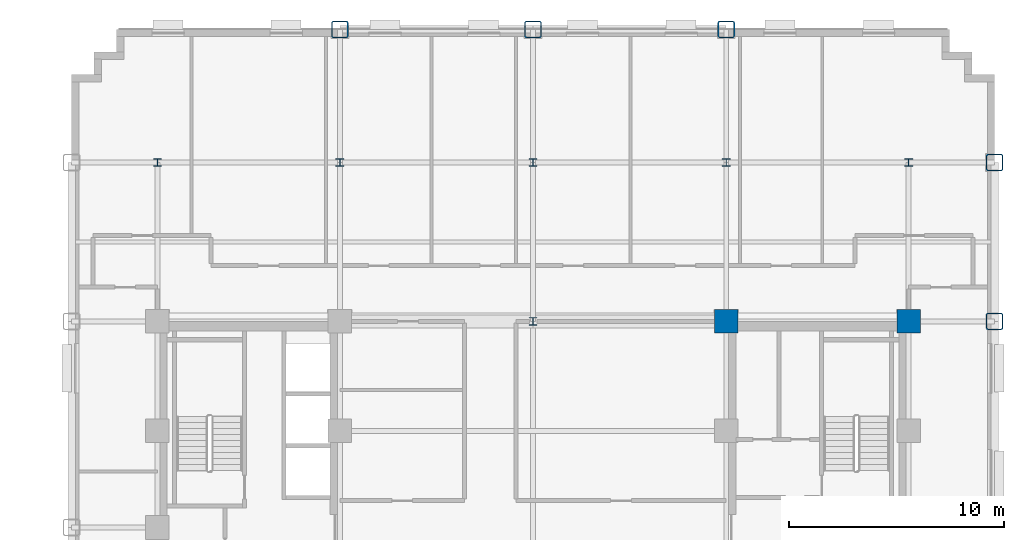
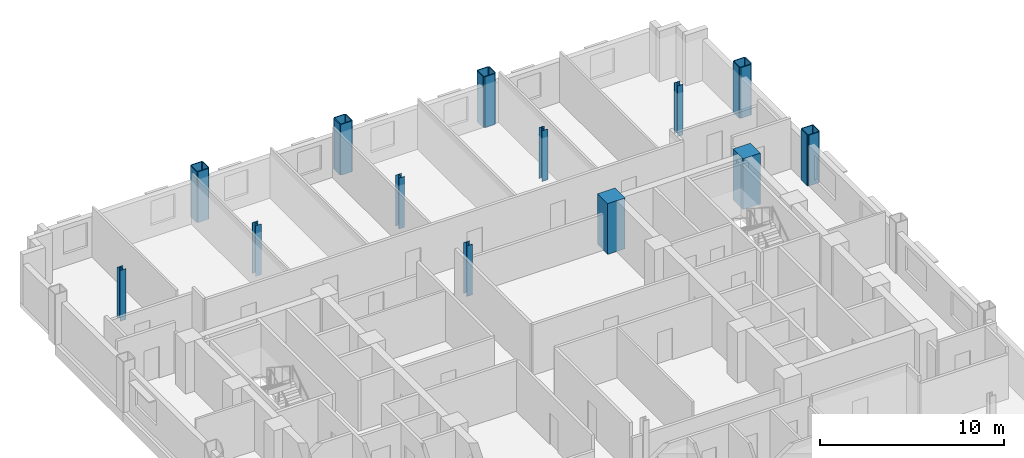
# One storey, part 3 of 14: 13 columns.
"""IFC4 building model written with IfcOpenShell, lengths in metres."""

import ifcopenshell
import ifcopenshell.guid

model = None  # the IFC model being written
_history = None  # IfcOwnerHistory: only IFC2X3 demands one
_inside = {}  # id of a spatial element -> (the spatial element, [elements in it])
_under = {}  # id of a project, library or spatial element -> (it, [spatial elements below it])
_declared = {}  # id of a project -> (the project, [libraries it declares])
_typed = {}  # id of a type object -> (the type object, [elements of that type])
_made_of = {}  # id of a material, layer set ... -> (it, [elements and type objects made of it])


def new_model(schema):
    """Start an empty IFC model of exactly this schema.

    Asked for "IFC4X3", IfcOpenShell would pick the latest addendum, in which some entities
    have other attributes; the version numbers below select the first issue.
    IFC2X3 requires an IfcOwnerHistory on every rooted entity: one is made here for all.
    """
    global model, _history
    if schema == "IFC4X3":
        model = ifcopenshell.file(schema_version=(4, 3, 0, 0))
    else:
        model = ifcopenshell.file(schema=schema)
    _inside.clear()
    _under.clear()
    _declared.clear()
    _typed.clear()
    _made_of.clear()
    _history = None
    if model.schema == "IFC2X3":
        org = make("IfcOrganization", Name="unknown")
        user = make(
            "IfcPersonAndOrganization",
            ThePerson=make("IfcPerson", FamilyName="unknown"),
            TheOrganization=org,
        )
        app = make(
            "IfcApplication",
            ApplicationDeveloper=org,
            Version="unknown",
            ApplicationFullName="unknown",
            ApplicationIdentifier="unknown",
        )
        _history = make(
            "IfcOwnerHistory",
            OwningUser=user,
            OwningApplication=app,
            ChangeAction="ADDED",
            CreationDate=0,
        )
    return model


def make(cls, **values):
    """One entity of the class cls with the attributes given. An attribute that is None is left unset."""
    return model.create_entity(
        cls, **{name: value for name, value in values.items() if value is not None}
    )


def rooted(cls, **values):
    """An entity with a GlobalId (a new one), such as an element, a storey or a relation."""
    return make(cls, GlobalId=ifcopenshell.guid.new(), OwnerHistory=_history, **values)


def si_unit(unit_type, name, prefix=None):
    """IfcSIUnit, for example si_unit("LENGTHUNIT", "METRE", prefix="MILLI")."""
    return make("IfcSIUnit", UnitType=unit_type, Prefix=prefix, Name=name)


def assignment(units):
    """IfcUnitAssignment: the units of a project."""
    return None if units is None else make("IfcUnitAssignment", Units=units)


def point(xyz):
    """IfcCartesianPoint."""
    return None if xyz is None else make("IfcCartesianPoint", Coordinates=xyz)


def direction(xyz):
    """IfcDirection."""
    return None if xyz is None else make("IfcDirection", DirectionRatios=xyz)


def frame(location, z_axis=None, x_axis=None):
    """IfcAxis2Placement3D, a coordinate frame: its origin and axes. An axis left out is left unset."""
    return make(
        "IfcAxis2Placement3D",
        Location=point(location),
        Axis=direction(z_axis),
        RefDirection=direction(x_axis),
    )


def frame_2d(location, x_axis=None):
    """IfcAxis2Placement2D, a coordinate frame in the plane: its origin and x axis."""
    return make(
        "IfcAxis2Placement2D", Location=point(location), RefDirection=direction(x_axis)
    )


def origin():
    """The frame at (0, 0, 0) with its axes left unset."""
    return frame((0.0, 0.0, 0.0))


def origin_2d():
    """The frame at (0, 0) in the plane with its x axis left unset."""
    return frame_2d((0.0, 0.0))


def place(relative_to, where):
    """IfcLocalPlacement: puts the frame where relative to a parent placement (None: the world)."""
    return make(
        "IfcLocalPlacement", PlacementRelTo=relative_to, RelativePlacement=where
    )


def context(
    kind, dimensions, precision=None, world=None, true_north=None, identifier=None
):
    """IfcGeometricRepresentationContext, for example the 3D "Model" context."""
    return make(
        "IfcGeometricRepresentationContext",
        ContextIdentifier=identifier,
        ContextType=kind,
        CoordinateSpaceDimension=dimensions,
        Precision=precision,
        WorldCoordinateSystem=world,
        TrueNorth=true_north,
    )


def subcontext(parent, identifier, kind, view, scale=None):
    """IfcGeometricRepresentationSubContext, for example "Body" below "Model"."""
    return make(
        "IfcGeometricRepresentationSubContext",
        ContextIdentifier=identifier,
        ContextType=kind,
        ParentContext=parent,
        TargetScale=scale,
        TargetView=view,
    )


def project(units=None, contexts=None):
    """IfcProject with its units and contexts."""
    return rooted(
        "IfcProject",
        Name="project",
        RepresentationContexts=contexts,
        UnitsInContext=assignment(units),
    )


def spatial(cls, under=None, at=None, **own):
    """A site, building, storey or space (cls), placed at a placement, below another one or the project."""
    s = rooted(cls, ObjectPlacement=at, **own)
    if under is not None:
        _under.setdefault(under.id(), (under, []))[1].append(s)
    return s


def profile(cls, at=None, kind="AREA", **sizes):
    """A parametric profile (cls). Its sizes go by their IFC names, for example OverallWidth=200.0."""
    return make(cls, ProfileType=kind, Position=at, **sizes)


def rectangle(**sizes):
    """IfcRectangleProfileDef."""
    return profile("IfcRectangleProfileDef", **sizes)


def hollow_rectangle(**sizes):
    """IfcRectangleHollowProfileDef."""
    return profile("IfcRectangleHollowProfileDef", **sizes)


def i_section(**sizes):
    """IfcIShapeProfileDef."""
    return profile("IfcIShapeProfileDef", **sizes)


def extrude(swept, where, along, depth):
    """IfcExtrudedAreaSolid: the profile swept, set in the frame where, extruded along a direction by depth."""
    return make(
        "IfcExtrudedAreaSolid",
        SweptArea=swept,
        Position=where,
        ExtrudedDirection=direction(along),
        Depth=depth,
    )


def shape(context_of_items, identifier, shape_type, items):
    """IfcShapeRepresentation: the items that make up one representation, for example the "Body"."""
    return make(
        "IfcShapeRepresentation",
        ContextOfItems=context_of_items,
        RepresentationIdentifier=identifier,
        RepresentationType=shape_type,
        Items=items,
    )


def material(Name=None, Category=None):
    """IfcMaterial."""
    return make("IfcMaterial", Name=Name, Category=Category)


def material_profile(
    of_material, cross_section, Name=None, Category=None, Priority=None
):
    """IfcMaterialProfile: a cross section and its material."""
    return make(
        "IfcMaterialProfile",
        Name=Name,
        Material=of_material,
        Profile=cross_section,
        Priority=Priority,
        Category=Category,
    )


def profile_set(profiles, Name=None, composite=None):
    """IfcMaterialProfileSet."""
    return make(
        "IfcMaterialProfileSet",
        Name=Name,
        MaterialProfiles=profiles,
        CompositeProfile=composite,
    )


def made_of(thing, what):
    """Note that an element or type object is made of a material, layer set ...; save() writes the relation."""
    if what is not None:
        _made_of.setdefault(what.id(), (what, []))[1].append(thing)
    return thing


def type_object(cls, material=None, **own):
    """A type object (cls), such as IfcWallType, which elements share."""
    return made_of(rooted(cls, **own), material)


def element(
    cls,
    number,
    at=None,
    inside=None,
    cuts=None,
    type_object=None,
    material=None,
    context=None,
    identifier="Body",
    shape_type=None,
    held_by="IfcProductDefinitionShape",
    body=None,
    shapes=None,
    **own,
):
    """One element of the class cls, such as IfcWall. Its Tag is "e" and its number.

    at: its placement. inside: the storey or other place that contains it. cuts: it is an
    opening in that element (IfcRelVoidsElement). A single representation is given by context,
    identifier, shape_type and body (its items); several are given by shapes. held_by: the class
    of the entity that holds the representations. save() writes the other relations.
    """
    e = rooted(cls, Tag="e%d" % number, ObjectPlacement=at, **own)
    if body is not None:
        shapes = [shape(context, identifier, shape_type, body)]
    if shapes is not None:
        e.Representation = make(held_by, Representations=shapes)
    if inside is not None:
        _inside.setdefault(inside.id(), (inside, []))[1].append(e)
    if cuts is not None:
        rooted(
            "IfcRelVoidsElement", RelatingBuildingElement=cuts, RelatedOpeningElement=e
        )
    if type_object is not None:
        _typed.setdefault(type_object.id(), (type_object, []))[1].append(e)
    return made_of(e, material)


def aggregate(whole, parts):
    """IfcRelAggregates: a whole, such as a stair, and the parts it consists of."""
    return rooted("IfcRelAggregates", RelatingObject=whole, RelatedObjects=parts)


def save(model, path):
    """Write the relations noted so far, then the file.

    IfcRelAggregates (storeys below a building ...), IfcRelContainedInSpatialStructure (elements
    in a storey), IfcRelDefinesByType, IfcRelAssociatesMaterial and IfcRelDeclares: one each for
    every whole, place, type object, material and project.
    """
    for whole, parts in _under.values():
        aggregate(whole, parts)
    for where, things in _inside.values():
        rooted(
            "IfcRelContainedInSpatialStructure",
            RelatedElements=things,
            RelatingStructure=where,
        )
    for kind, things in _typed.values():
        rooted("IfcRelDefinesByType", RelatedObjects=things, RelatingType=kind)
    for what, things in _made_of.values():
        rooted("IfcRelAssociatesMaterial", RelatedObjects=things, RelatingMaterial=what)
    for by, libraries in _declared.values():
        rooted("IfcRelDeclares", RelatingContext=by, RelatedDefinitions=libraries)
    model.write(path)


model = new_model("IFC4")

# Units and contexts
model_context = context("Model", 3, precision=1e-05, world=origin(), true_north=direction((0.0, 1.0)))
body_context = subcontext(model_context, "Body", "Model", "MODEL_VIEW")
ifc_project = project(units=[si_unit("LENGTHUNIT", "METRE"), si_unit("AREAUNIT", "SQUARE_METRE"), si_unit("VOLUMEUNIT", "CUBIC_METRE"), si_unit("PLANEANGLEUNIT", "RADIAN"), si_unit("MASSUNIT", "GRAM", prefix="KILO")], contexts=[model_context])

# Site, building, storey
site_placement = place(None, origin())
site = spatial("IfcSite", under=ifc_project, at=site_placement, CompositionType="ELEMENT")
building_placement = place(site_placement, origin())
building = spatial("IfcBuilding", under=site, at=building_placement, Name="Nuvemarco Arch Tower", CompositionType="ELEMENT")
storey_placement = place(building_placement, frame((0.0, 0.0, 67.75)))
storey = spatial("IfcBuildingStorey", under=building, at=storey_placement, Name="L17", CompositionType="ELEMENT", Elevation=67.75)

# Columns
ifc_material_1 = material(Name="Concrete C60/75", Category="concrete")
ifc_material_profile_1 = material_profile(ifc_material_1, rectangle(XDim=1.10009765625, YDim=1.10009765625, at=origin_2d()), Name="RC-COL-1100x1100")
ifc_profile_set_1 = profile_set([ifc_material_profile_1], Name="Concrete C60/75")
column_type_1 = type_object("IfcColumnType", Name="COL-CORE-1100", PredefinedType="COLUMN", material=ifc_profile_set_1)
for number, where, z_axis, x_axis, name in (
    (1, (9.0, 9.60009765625, 0.0), (0.0, 0.0, 1.0), (1.0, 0.0, 0.0), "L17 column CC_+9.0_+9.6"),
    (2, (17.5, 9.60009765625, 0.0), (0.0, 0.0, 1.0), (1.0, 0.0, 0.0), "L17 column CC_+17.5_+9.6"),
):
    element("IfcColumn", number, at=place(storey_placement, frame(where, z_axis=z_axis, x_axis=x_axis)), inside=storey, type_object=column_type_1, Name=name, PredefinedType="COLUMN", context=body_context, shape_type="SweptSolid", body=[
        extrude(rectangle(XDim=1.10009765625, YDim=1.10009765625, at=origin_2d()), origin(), (0.0, 0.0, 1.0), 3.3701171875),
    ])
ifc_material_2 = material(Name="Steel S460", Category="steel")
ifc_material_profile_2 = material_profile(ifc_material_2, hollow_rectangle(XDim=0.800048828125, YDim=0.800048828125, WallThickness=0.054931640625, InnerFilletRadius=0.054931640625, OuterFilletRadius=0.110107421875, at=origin_2d()), Name="SHS800x800x55")
ifc_profile_set_2 = profile_set([ifc_material_profile_2], Name="Steel S460")
column_type_2 = type_object("IfcColumnType", Name="COL-EXO-800", PredefinedType="COLUMN", material=ifc_profile_set_2)
for number, where, z_axis, x_axis, name in (
    (3, (21.5, 9.60009765625, 0.0), (0.0, 0.0, 1.0), (1.0, 0.0, 0.0), "L17 column CX_+21.5_+9.6"),
    (4, (21.5, 17.0, 0.0), (0.0, 0.0, 1.0), (1.0, 0.0, 0.0), "L17 column CX_+21.5_+17.0"),
    (5, (-9.0, 23.199951171875, 0.0), (0.0, 0.0, 1.0), (1.0, 0.0, 0.0), "L17 column CY_-9.0_+23.2"),
    (6, (0.0, 23.199951171875, 0.0), (0.0, 0.0, 1.0), (1.0, 0.0, 0.0), "L17 column CY_+0.0_+23.2"),
    (7, (9.0, 23.199951171875, 0.0), (0.0, 0.0, 1.0), (1.0, 0.0, 0.0), "L17 column CY_+9.0_+23.2"),
):
    element("IfcColumn", number, at=place(storey_placement, frame(where, z_axis=z_axis, x_axis=x_axis)), inside=storey, type_object=column_type_2, Name=name, PredefinedType="COLUMN", context=body_context, shape_type="SweptSolid", body=[
        extrude(hollow_rectangle(XDim=0.800048828125, YDim=0.800048828125, WallThickness=0.054931640625, InnerFilletRadius=0.054931640625, OuterFilletRadius=0.110107421875, at=origin_2d()), origin(), (0.0, 0.0, 1.0), 3.3701171875),
    ])
ifc_material_3 = material(Name="Steel S355", Category="steel")
ifc_material_profile_3 = material_profile(ifc_material_3, i_section(OverallWidth=0.360107421875, OverallDepth=0.360107421875, WebThickness=0.0205078125, FlangeThickness=0.0205078125, FilletRadius=0.01806640625, at=origin_2d()), Name="HP360x174")
ifc_profile_set_3 = profile_set([ifc_material_profile_3], Name="Steel S355")
column_type_3 = type_object("IfcColumnType", Name="COL-STL-HP360", PredefinedType="COLUMN", material=ifc_profile_set_3)
for number, where, z_axis, x_axis, name in (
    (8, (0.0, 9.60009765625, 0.0), (0.0, 0.0, 1.0), (1.0, 0.0, 0.0), "L17 column CI_+0.0_+9.6"),
    (9, (0.0, 17.0, 0.0), (0.0, 0.0, 1.0), (1.0, 0.0, 0.0), "L17 column CI_+0.0_+17.0"),
    (10, (-17.5, 17.0, 0.0), (0.0, 0.0, 1.0), (1.0, 0.0, 0.0), "L17 column CI_-17.5_+17.0"),
    (11, (-9.0, 17.0, 0.0), (0.0, 0.0, 1.0), (1.0, 0.0, 0.0), "L17 column CI_-9.0_+17.0"),
    (12, (9.0, 17.0, 0.0), (0.0, 0.0, 1.0), (1.0, 0.0, 0.0), "L17 column CI_+9.0_+17.0"),
    (13, (17.5, 17.0, 0.0), (0.0, 0.0, 1.0), (1.0, 0.0, 0.0), "L17 column CI_+17.5_+17.0"),
):
    element("IfcColumn", number, at=place(storey_placement, frame(where, z_axis=z_axis, x_axis=x_axis)), inside=storey, type_object=column_type_3, Name=name, PredefinedType="COLUMN", context=body_context, shape_type="SweptSolid", body=[
        extrude(i_section(OverallWidth=0.360107421875, OverallDepth=0.360107421875, WebThickness=0.0205078125, FlangeThickness=0.0205078125, FilletRadius=0.01806640625, at=origin_2d()), origin(), (0.0, 0.0, 1.0), 3.3701171875),
    ])

save(model, "model.ifc")
